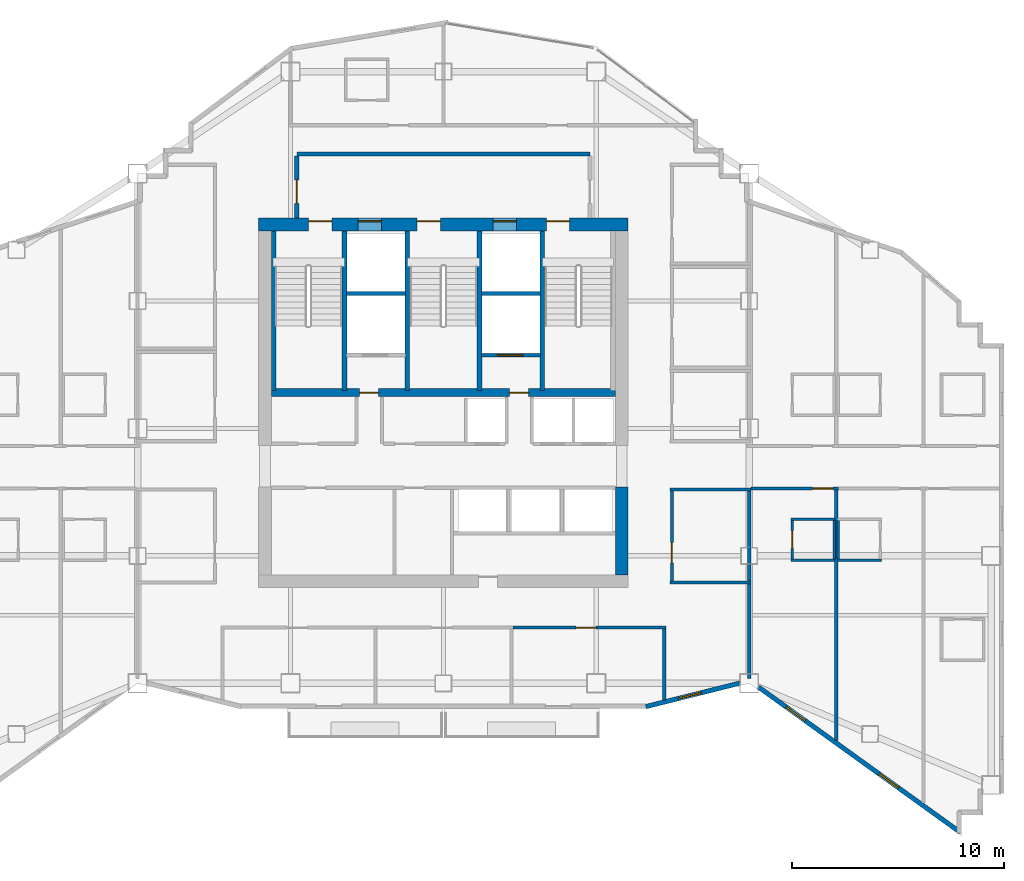
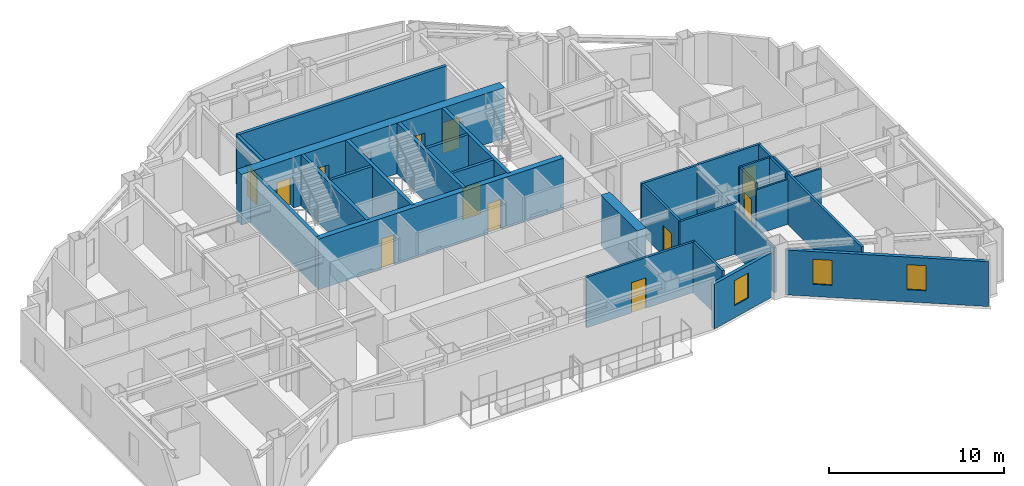
# One storey, part 7 of 11: 30 walls, 13 doors, 3 windows, 16 openings.
"""IFC4 building model written with IfcOpenShell, lengths in metres."""

from ifc_helpers import new_model, si_unit, direction, frame, frame_2d, origin, place, context, subcontext, project, spatial, rectangle, extrude, material, layer, layer_set, type_object, element, fill, save


model = new_model("IFC4")

# Units and contexts
model_context = context("Model", 3, precision=1e-05, world=origin(), true_north=direction((0.0, 1.0)))
body_context = subcontext(model_context, "Body", "Model", "MODEL_VIEW")
ifc_project = project(units=[si_unit("LENGTHUNIT", "METRE"), si_unit("AREAUNIT", "SQUARE_METRE"), si_unit("VOLUMEUNIT", "CUBIC_METRE"), si_unit("PLANEANGLEUNIT", "RADIAN"), si_unit("MASSUNIT", "GRAM", prefix="KILO")], contexts=[model_context])

# Site, building, storey
site_placement = place(None, origin())
site = spatial("IfcSite", under=ifc_project, at=site_placement, CompositionType="ELEMENT")
building_placement = place(site_placement, origin())
building = spatial("IfcBuilding", under=site, at=building_placement, Name="Haolan Belvedere Tower", CompositionType="ELEMENT")
storey_placement = place(building_placement, frame((0.0, 0.0, 226.800048828125)))
storey = spatial("IfcBuildingStorey", under=building, at=storey_placement, Name="L57", CompositionType="ELEMENT", Elevation=226.800048828125)

# Wall, openings, doors
ifc_material_1 = material(Name="Concrete C60/75", Category="concrete")
ifc_layer_1 = layer(ifc_material_1, 0.60009765625, Name="Concrete C60/75")
ifc_layer_set_1 = layer_set([ifc_layer_1], Name="Concrete C60/75")
wall_type_1 = type_object("IfcWallType", Name="WL-CORE-600", PredefinedType="SHEAR", material=ifc_layer_set_1)
wall_1_placement = place(storey_placement, frame((29.699951171875, 43.199951171875, 0.0), z_axis=(0.0, 0.0, 1.0), x_axis=(1.0, 0.0, 0.0)))
wall_1 = element("IfcWall", 1, at=wall_1_placement, inside=storey, type_object=wall_type_1, Name="L57 central core north shear wall", PredefinedType="SHEAR", context=body_context, shape_type="SweptSolid", body=[
    extrude(rectangle(XDim=17.400146484375, YDim=0.60009765625, at=frame_2d((8.7001953125, 0.0))), origin(), (0.0, 0.0, 1.0), 3.5400390625),
])
opening_1_placement = place(wall_1_placement, frame((2.35009765625, 0.0, 0.0)))
opening_1 = element("IfcOpeningElement", 2, at=opening_1_placement, cuts=wall_1, Name="Opening FD-03", PredefinedType="OPENING", context=body_context, shape_type="SweptSolid", body=[
    extrude(rectangle(XDim=1.10009765625, YDim=2.14990234375, at=frame_2d((0.550048828125, 1.074951171875))), frame((0.0, 0.31005859375, 0.0), z_axis=(0.0, -1.0, 0.0), x_axis=(1.0, 0.0, 0.0)), (0.0, 0.0, 1.0), 0.6201171875),
])
opening_2_placement = place(wall_1_placement, frame((7.4599609375, 0.0, 0.0)))
opening_2 = element("IfcOpeningElement", 3, at=opening_2_placement, cuts=wall_1, Name="Opening FD-03", PredefinedType="OPENING", context=body_context, shape_type="SweptSolid", body=[
    extrude(rectangle(XDim=1.10009765625, YDim=2.14990234375, at=frame_2d((0.550048828125, 1.074951171875))), frame((0.0, 0.31005859375, 0.0), z_axis=(0.0, -1.0, 0.0), x_axis=(1.0, 0.0, 0.0)), (0.0, 0.0, 1.0), 0.6201171875),
])
opening_3_placement = place(wall_1_placement, frame((13.550048828125, 0.0, 0.0)))
opening_3 = element("IfcOpeningElement", 4, at=opening_3_placement, cuts=wall_1, Name="Opening FD-03", PredefinedType="OPENING", context=body_context, shape_type="SweptSolid", body=[
    extrude(rectangle(XDim=1.10009765625, YDim=2.14990234375, at=frame_2d((0.550048828125, 1.074951171875))), frame((0.0, 0.31005859375, 0.0), z_axis=(0.0, -1.0, 0.0), x_axis=(1.0, 0.0, 0.0)), (0.0, 0.0, 1.0), 0.6201171875),
])
opening_4_placement = place(wall_1_placement, frame((4.679931640625, 0.0, 0.0)))
opening_4 = element("IfcOpeningElement", 5, at=opening_4_placement, cuts=wall_1, Name="Opening LD-01", PredefinedType="OPENING", context=body_context, shape_type="SweptSolid", body=[
    extrude(rectangle(XDim=1.10009765625, YDim=2.199951171875, at=frame_2d((0.550048828125, 1.10009765625))), frame((0.0, 0.31005859375, 0.0), z_axis=(0.0, -1.0, 0.0), x_axis=(1.0, 0.0, 0.0)), (0.0, 0.0, 1.0), 0.6201171875),
])
opening_5_placement = place(wall_1_placement, frame((11.0400390625, 0.0, 0.0)))
opening_5 = element("IfcOpeningElement", 6, at=opening_5_placement, cuts=wall_1, Name="Opening LD-01", PredefinedType="OPENING", context=body_context, shape_type="SweptSolid", body=[
    extrude(rectangle(XDim=1.10009765625, YDim=2.199951171875, at=frame_2d((0.550048828125, 1.10009765625))), frame((0.0, 0.31005859375, 0.0), z_axis=(0.0, -1.0, 0.0), x_axis=(1.0, 0.0, 0.0)), (0.0, 0.0, 1.0), 0.6201171875),
])
ifc_material_2 = material(Name="Galvanised fire-rated steel", Category="steel")
door_type_1 = type_object("IfcDoorType", Name="DR-FD90-1100", OperationType="NOTDEFINED", PredefinedType="DOOR", material=ifc_material_2)
door_1_placement = place(opening_1_placement, origin())
door_1 = element("IfcDoor", 7, at=door_1_placement, inside=storey, type_object=door_type_1, Name="L57 door CD-L57-ST1", OperationType="SINGLE_SWING_LEFT", OverallHeight=2.14990234375, OverallWidth=1.10009765625, PredefinedType="DOOR", context=body_context, shape_type="SweptSolid", body=[
    extrude(rectangle(XDim=1.10009765625, YDim=2.14990234375, at=frame_2d((0.550048828125, 1.074951171875))), frame((0.0, 0.18505859375, 0.0), z_axis=(0.0, -1.0, 0.0), x_axis=(1.0, 0.0, 0.0)), (0.0, 0.0, 1.0), 0.050048828125),
])
fill(opening_1, door_1)
door_2_placement = place(opening_2_placement, origin())
door_2 = element("IfcDoor", 8, at=door_2_placement, inside=storey, type_object=door_type_1, Name="L57 door CD-L57-ST3", OperationType="SINGLE_SWING_LEFT", OverallHeight=2.14990234375, OverallWidth=1.10009765625, PredefinedType="DOOR", context=body_context, shape_type="SweptSolid", body=[
    extrude(rectangle(XDim=1.10009765625, YDim=2.14990234375, at=frame_2d((0.550048828125, 1.074951171875))), frame((0.0, 0.18505859375, 0.0), z_axis=(0.0, -1.0, 0.0), x_axis=(1.0, 0.0, 0.0)), (0.0, 0.0, 1.0), 0.050048828125),
])
fill(opening_2, door_2)
door_3_placement = place(opening_3_placement, origin())
door_3 = element("IfcDoor", 9, at=door_3_placement, inside=storey, type_object=door_type_1, Name="L57 door CD-L57-ST2", OperationType="SINGLE_SWING_RIGHT", OverallHeight=2.14990234375, OverallWidth=1.10009765625, PredefinedType="DOOR", context=body_context, shape_type="SweptSolid", body=[
    extrude(rectangle(XDim=1.10009765625, YDim=2.14990234375, at=frame_2d((0.550048828125, 1.074951171875))), frame((0.0, 0.18505859375, 0.0), z_axis=(0.0, -1.0, 0.0), x_axis=(1.0, 0.0, 0.0)), (0.0, 0.0, 1.0), 0.050048828125),
])
fill(opening_3, door_3)
ifc_material_3 = material(Name="Brushed champagne stainless steel 316L", Category="steel")
door_type_2 = type_object("IfcDoorType", Name="DR-LIFT-1100", OperationType="SLIDING_TO_LEFT", PredefinedType="DOOR", material=ifc_material_3)
door_4_placement = place(opening_4_placement, origin())
door_4 = element("IfcDoor", 10, at=door_4_placement, inside=storey, type_object=door_type_2, Name="L57 door LD-L57-FF1", OperationType="SLIDING_TO_LEFT", OverallHeight=2.199951171875, OverallWidth=1.10009765625, PredefinedType="DOOR", context=body_context, shape_type="SweptSolid", body=[
    extrude(rectangle(XDim=1.10009765625, YDim=2.199951171875, at=frame_2d((0.550048828125, 1.10009765625))), frame((0.0, 0.18505859375, 0.0), z_axis=(0.0, -1.0, 0.0), x_axis=(1.0, 0.0, 0.0)), (0.0, 0.0, 1.0), 0.050048828125),
])
fill(opening_4, door_4)
door_5_placement = place(opening_5_placement, origin())
door_5 = element("IfcDoor", 11, at=door_5_placement, inside=storey, type_object=door_type_2, Name="L57 door LD-L57-FF2", OperationType="SLIDING_TO_LEFT", OverallHeight=2.199951171875, OverallWidth=1.10009765625, PredefinedType="DOOR", context=body_context, shape_type="SweptSolid", body=[
    extrude(rectangle(XDim=1.10009765625, YDim=2.199951171875, at=frame_2d((0.550048828125, 1.10009765625))), frame((0.0, 0.18505859375, 0.0), z_axis=(0.0, -1.0, 0.0), x_axis=(1.0, 0.0, 0.0)), (0.0, 0.0, 1.0), 0.050048828125),
])
fill(opening_5, door_5)

# Wall
wall_2_placement = place(storey_placement, frame((46.800048828125, 26.699951171875, 0.0), z_axis=(0.0, 0.0, 1.0), x_axis=(0.0, 1.0, 0.0)))
element("IfcWall", 12, at=wall_2_placement, inside=storey, type_object=wall_type_1, Name="L57 central core shear wall ES", PredefinedType="SHEAR", context=body_context, shape_type="SweptSolid", body=[
    extrude(rectangle(XDim=4.150146484375, YDim=0.60009765625, at=frame_2d((2.0751953125, 0.0))), origin(), (0.0, 0.0, 1.0), 3.5400390625),
])

# Wall, opening, window
ifc_material_4 = material(Name="Precast concrete C40/50", Category="concrete")
ifc_layer_2 = layer(ifc_material_4, 0.219970703125, Name="Precast concrete C40/50")
ifc_layer_set_2 = layer_set([ifc_layer_2], Name="Precast concrete C40/50")
wall_type_2 = type_object("IfcWallType", Name="WL-EXT-220", PredefinedType="SOLIDWALL", material=ifc_layer_set_2)
wall_3_placement = place(storey_placement, frame((47.93310546875, 20.49658203125, 0.0), z_axis=(0.0, 0.0, 1.0), x_axis=(0.970142500145, 0.242535625036, 0.0)))
wall_3 = element("IfcWall", 13, at=wall_3_placement, inside=storey, type_object=wall_type_2, Name="L57 pale-metal exterior spandrel wall 2.1", PredefinedType="SOLIDWALL", context=body_context, shape_type="SweptSolid", body=[
    extrude(rectangle(XDim=4.56103515625, YDim=0.219970703125, at=frame_2d((2.280517578125, 0.0))), origin(), (0.0, 0.0, 1.0), 3.135009765625),
])
opening_6_placement = place(wall_3_placement, frame((1.60009765625, 0.0, 0.85009765625)))
opening_6 = element("IfcOpeningElement", 14, at=opening_6_placement, cuts=wall_3, Name="Opening W-03", PredefinedType="OPENING", context=body_context, shape_type="SweptSolid", body=[
    extrude(rectangle(XDim=1.10009765625, YDim=1.75, at=frame_2d((0.550048828125, 0.875))), frame((0.0, 0.119873046875, 0.0), z_axis=(0.0, -1.0, 0.0), x_axis=(1.0, 0.0, 0.0)), (0.0, 0.0, 1.0), 0.239990234375),
])
ifc_material_5 = material(Name="Anodised aluminium 6063-T6 and Low-E glass", Category="aluminium")
window_type = type_object("IfcWindowType", Name="WN-DECO-Z3", PartitioningType="SINGLE_PANEL", PredefinedType="WINDOW", material=ifc_material_5)
window_1_placement = place(opening_6_placement, origin())
window_1 = element("IfcWindow", 15, at=window_1_placement, inside=storey, type_object=window_type, Name="L57 Art Deco chevron window 1", OverallHeight=1.75, OverallWidth=1.10009765625, PartitioningType="SINGLE_PANEL", PredefinedType="WINDOW", context=body_context, shape_type="SweptSolid", body=[
    extrude(rectangle(XDim=1.10009765625, YDim=1.75, at=frame_2d((0.550048828125, 0.875))), frame((0.0, 0.030029296875, 0.0), z_axis=(0.0, -1.0, 0.0), x_axis=(1.0, 0.0, 0.0)), (0.0, 0.0, 1.0), 0.06005859375),
])
fill(opening_6, window_1)

# Wall, openings, windows
wall_4_placement = place(storey_placement, frame((53.241943359375, 21.417236328125, 0.0), z_axis=(0.0, 0.0, 1.0), x_axis=(0.811534737332, -0.58430417601, 0.0)))
wall_4 = element("IfcWall", 16, at=wall_4_placement, inside=storey, type_object=wall_type_2, Name="L57 pale-metal exterior spandrel wall 3.1", PredefinedType="SOLIDWALL", context=body_context, shape_type="SweptSolid", body=[
    extrude(rectangle(XDim=11.697265625, YDim=0.219970703125, at=frame_2d((5.8486328125, 0.0))), origin(), (0.0, 0.0, 1.0), 3.135009765625),
])
opening_7_placement = place(wall_4_placement, frame((1.60009765625, 0.0, 0.85009765625)))
opening_7 = element("IfcOpeningElement", 17, at=opening_7_placement, cuts=wall_4, Name="Opening W-03", PredefinedType="OPENING", context=body_context, shape_type="SweptSolid", body=[
    extrude(rectangle(XDim=1.10009765625, YDim=1.75, at=frame_2d((0.550048828125, 0.875))), frame((0.0, 0.119873046875, 0.0), z_axis=(0.0, -1.0, 0.0), x_axis=(1.0, 0.0, 0.0)), (0.0, 0.0, 1.0), 0.239990234375),
])
opening_8_placement = place(wall_4_placement, frame((7.0, 0.0, 0.85009765625)))
opening_8 = element("IfcOpeningElement", 18, at=opening_8_placement, cuts=wall_4, Name="Opening W-03", PredefinedType="OPENING", context=body_context, shape_type="SweptSolid", body=[
    extrude(rectangle(XDim=1.10009765625, YDim=1.75, at=frame_2d((0.550048828125, 0.875))), frame((0.0, 0.119873046875, 0.0), z_axis=(0.0, -1.0, 0.0), x_axis=(1.0, 0.0, 0.0)), (0.0, 0.0, 1.0), 0.239990234375),
])
window_2_placement = place(opening_7_placement, origin())
window_2 = element("IfcWindow", 19, at=window_2_placement, inside=storey, type_object=window_type, Name="L57 Art Deco chevron window 1", OverallHeight=1.75, OverallWidth=1.10009765625, PartitioningType="SINGLE_PANEL", PredefinedType="WINDOW", context=body_context, shape_type="SweptSolid", body=[
    extrude(rectangle(XDim=1.10009765625, YDim=1.75, at=frame_2d((0.550048828125, 0.875))), frame((0.0, 0.030029296875, 0.0), z_axis=(0.0, -1.0, 0.0), x_axis=(1.0, 0.0, 0.0)), (0.0, 0.0, 1.0), 0.06005859375),
])
fill(opening_7, window_2)
window_3_placement = place(opening_8_placement, origin())
window_3 = element("IfcWindow", 20, at=window_3_placement, inside=storey, type_object=window_type, Name="L57 Art Deco chevron window 2", OverallHeight=1.75, OverallWidth=1.10009765625, PartitioningType="SINGLE_PANEL", PredefinedType="WINDOW", context=body_context, shape_type="SweptSolid", body=[
    extrude(rectangle(XDim=1.10009765625, YDim=1.75, at=frame_2d((0.550048828125, 0.875))), frame((0.0, 0.030029296875, 0.0), z_axis=(0.0, -1.0, 0.0), x_axis=(1.0, 0.0, 0.0)), (0.0, 0.0, 1.0), 0.06005859375),
])
fill(opening_8, window_3)

# Wall
ifc_material_6 = material(Name="Concrete C40/50", Category="concrete")
ifc_layer_3 = layer(ifc_material_6, 0.199951171875, Name="Concrete C40/50")
ifc_layer_set_3 = layer_set([ifc_layer_3], Name="Concrete C40/50")
wall_type_3 = type_object("IfcWallType", Name="WL-FIRE-200", PredefinedType="SOLIDWALL", material=ifc_layer_set_3)
wall_5_placement = place(storey_placement, frame((31.5, 46.52001953125, 0.0), z_axis=(0.0, 0.0, 1.0), x_axis=(1.0, 0.0, 0.0)))
element("IfcWall", 21, at=wall_5_placement, inside=storey, type_object=wall_type_3, Name="L57 interior partition IW-L57-FFL-N", PredefinedType="SOLIDWALL", context=body_context, shape_type="SweptSolid", body=[
    extrude(rectangle(XDim=13.800048828125, YDim=0.199951171875, at=frame_2d((6.89990234375, 0.0))), origin(), (0.0, 0.0, 1.0), 3.5400390625),
])

# Wall, opening, door
wall_6_placement = place(storey_placement, frame((31.5, 43.5, 0.0), z_axis=(0.0, 0.0, 1.0), x_axis=(0.0, 1.0, 0.0)))
wall_6 = element("IfcWall", 22, at=wall_6_placement, inside=storey, type_object=wall_type_3, Name="L57 interior partition IW-L57-FFL-W", PredefinedType="SOLIDWALL", context=body_context, shape_type="SweptSolid", body=[
    extrude(rectangle(XDim=2.93505859375, YDim=0.199951171875, at=frame_2d((1.467529296875, 0.0))), origin(), (0.0, 0.0, 1.0), 3.5400390625),
])
opening_9_placement = place(wall_6_placement, frame((1.800048828125, 0.0, 0.0), z_axis=(0.0, 0.0, 1.0), x_axis=(-1.0, 0.0, 0.0)))
opening_9 = element("IfcOpeningElement", 23, at=opening_9_placement, cuts=wall_6, Name="Opening FD-03", PredefinedType="OPENING", context=body_context, shape_type="SweptSolid", body=[
    extrude(rectangle(XDim=1.10009765625, YDim=2.14990234375, at=frame_2d((0.550048828125, 1.074951171875))), frame((0.0, 0.10986328125, 0.0), z_axis=(0.0, -1.0, 0.0), x_axis=(1.0, 0.0, 0.0)), (0.0, 0.0, 1.0), 0.219970703125),
])
door_6_placement = place(opening_9_placement, origin())
door_6 = element("IfcDoor", 24, at=door_6_placement, inside=storey, type_object=door_type_1, Name="L57 door ID-L57-FFL-DW", OperationType="SINGLE_SWING_LEFT", OverallHeight=2.14990234375, OverallWidth=1.10009765625, PredefinedType="DOOR", context=body_context, shape_type="SweptSolid", body=[
    extrude(rectangle(XDim=1.10009765625, YDim=2.14990234375, at=frame_2d((0.550048828125, 1.074951171875))), frame((0.0, 0.02490234375, 0.0), z_axis=(0.0, -1.0, 0.0), x_axis=(1.0, 0.0, 0.0)), (0.0, 0.0, 1.0), 0.050048828125),
])
fill(opening_9, door_6)

# Walls
ifc_material_7 = material(Name="Double gypsum acoustic stud partition", Category="masonry")
ifc_layer_4 = layer(ifc_material_7, 0.14990234375, Name="Double gypsum acoustic stud partition")
ifc_layer_set_4 = layer_set([ifc_layer_4], Name="Double gypsum acoustic stud partition")
wall_type_4 = type_object("IfcWallType", Name="WL-PART-150", PredefinedType="PARTITIONING", material=ifc_layer_set_4)
for number, where, z_axis, x_axis, name in (
    (25, (49.080078125, 30.72998046875, 0.0), (0.0, 0.0, 1.0), (1.0, 0.0, 0.0), "L57 interior partition IW-L57-PKTE-N"),
    (26, (49.080078125, 26.35009765625, 0.0), (0.0, 0.0, 1.0), (1.0, 0.0, 0.0), "L57 interior partition IW-L57-PKTE-S"),
):
    element("IfcWall", number, at=place(storey_placement, frame(where, z_axis=z_axis, x_axis=x_axis)), inside=storey, type_object=wall_type_4, Name=name, PredefinedType="PARTITIONING", context=body_context, shape_type="SweptSolid", body=[
        extrude(rectangle(XDim=3.7998046875, YDim=0.14990234375, at=frame_2d((1.89990234375, 0.0))), origin(), (0.0, 0.0, 1.0), 3.5400390625),
    ])

# Wall, opening, door
wall_7_placement = place(storey_placement, frame((49.159912109375, 26.409912109375, 0.0), z_axis=(0.0, 0.0, 1.0), x_axis=(0.0, 1.0, 0.0)))
wall_7 = element("IfcWall", 27, at=wall_7_placement, inside=storey, type_object=wall_type_4, Name="L57 interior partition IW-L57-PKTE-W", PredefinedType="PARTITIONING", context=body_context, shape_type="SweptSolid", body=[
    extrude(rectangle(XDim=4.260009765625, YDim=0.14990234375, at=frame_2d((2.1298828125, 0.0))), origin(), (0.0, 0.0, 1.0), 3.5400390625),
])
opening_10_placement = place(wall_7_placement, frame((0.860107421875, 0.0, 0.0)))
opening_10 = element("IfcOpeningElement", 28, at=opening_10_placement, cuts=wall_7, Name="Opening ID-03", PredefinedType="OPENING", context=body_context, shape_type="SweptSolid", body=[
    extrude(rectangle(XDim=0.949951171875, YDim=2.1201171875, at=frame_2d((0.47509765625, 1.06005859375))), frame((0.0, 0.0849609375, 0.0), z_axis=(0.0, -1.0, 0.0), x_axis=(1.0, 0.0, 0.0)), (0.0, 0.0, 1.0), 0.169921875),
])
ifc_material_8 = material(Name="Painted solid-core timber", Category="wood")
door_type_3 = type_object("IfcDoorType", Name="DR-INT-950", OperationType="NOTDEFINED", PredefinedType="DOOR", material=ifc_material_8)
door_7_placement = place(opening_10_placement, origin())
door_7 = element("IfcDoor", 29, at=door_7_placement, inside=storey, type_object=door_type_3, Name="L57 door ID-L57-PKTE", OperationType="SINGLE_SWING_RIGHT", OverallHeight=2.1201171875, OverallWidth=0.949951171875, PredefinedType="DOOR", context=body_context, shape_type="SweptSolid", body=[
    extrude(rectangle(XDim=0.949951171875, YDim=2.1201171875, at=frame_2d((0.47509765625, 1.06005859375))), frame((0.0, 0.02490234375, 0.0), z_axis=(0.0, -1.0, 0.0), x_axis=(1.0, 0.0, 0.0)), (0.0, 0.0, 1.0), 0.050048828125),
])
fill(opening_10, door_7)

# Wall
wall_8_placement = place(storey_placement, frame((52.800048828125, 26.409912109375, 0.0), z_axis=(0.0, 0.0, 1.0), x_axis=(0.0, 1.0, 0.0)))
element("IfcWall", 30, at=wall_8_placement, inside=storey, type_object=wall_type_4, Name="L57 interior partition IW-L57-PKTE-E", PredefinedType="PARTITIONING", context=body_context, shape_type="SweptSolid", body=[
    extrude(rectangle(XDim=4.260009765625, YDim=0.14990234375, at=frame_2d((2.1298828125, 0.0))), origin(), (0.0, 0.0, 1.0), 3.135009765625),
])

# Wall, opening, door
wall_9_placement = place(storey_placement, frame((41.681884765625, 24.219970703125, 0.0), z_axis=(0.0, 0.0, 1.0), x_axis=(1.0, 0.0, 0.0)))
wall_9 = element("IfcWall", 31, at=wall_9_placement, inside=storey, type_object=wall_type_4, Name="L57 interior partition IW-L57-KS4-N", PredefinedType="PARTITIONING", context=body_context, shape_type="SweptSolid", body=[
    extrude(rectangle(XDim=7.197998046875, YDim=0.14990234375, at=frame_2d((3.59912109375, 0.0))), origin(), (0.0, 0.0, 1.0), 3.5400390625),
])
opening_11_placement = place(wall_9_placement, frame((3.912841796875, 0.0, 0.0), z_axis=(0.0, 0.0, 1.0), x_axis=(-1.0, 0.0, 0.0)))
opening_11 = element("IfcOpeningElement", 32, at=opening_11_placement, cuts=wall_9, Name="Opening ID-03", PredefinedType="OPENING", context=body_context, shape_type="SweptSolid", body=[
    extrude(rectangle(XDim=0.949951171875, YDim=2.1201171875, at=frame_2d((0.47509765625, 1.06005859375))), frame((0.0, 0.0849609375, 0.0), z_axis=(0.0, -1.0, 0.0), x_axis=(1.0, 0.0, 0.0)), (0.0, 0.0, 1.0), 0.169921875),
])
door_8_placement = place(opening_11_placement, origin())
door_8 = element("IfcDoor", 33, at=door_8_placement, inside=storey, type_object=door_type_3, Name="L57 door ID-L57-KS4", OperationType="SINGLE_SWING_RIGHT", OverallHeight=2.1201171875, OverallWidth=0.949951171875, PredefinedType="DOOR", context=body_context, shape_type="SweptSolid", body=[
    extrude(rectangle(XDim=0.949951171875, YDim=2.1201171875, at=frame_2d((0.47509765625, 1.06005859375))), frame((0.0, 0.02490234375, 0.0), z_axis=(0.0, -1.0, 0.0), x_axis=(1.0, 0.0, 0.0)), (0.0, 0.0, 1.0), 0.050048828125),
])
fill(opening_11, door_8)

# Wall
wall_10_placement = place(storey_placement, frame((48.800048828125, 20.818603515625, 0.0), z_axis=(0.0, 0.0, 1.0), x_axis=(0.0, 1.0, 0.0)))
element("IfcWall", 34, at=wall_10_placement, inside=storey, type_object=wall_type_4, Name="L57 interior partition IW-L57-KS4-E", PredefinedType="PARTITIONING", context=body_context, shape_type="SweptSolid", body=[
    extrude(rectangle(XDim=3.34130859375, YDim=0.14990234375, at=frame_2d((1.670654296875, 0.0))), origin(), (0.0, 0.0, 1.0), 3.5400390625),
])

# Wall, opening, door
wall_11_placement = place(storey_placement, frame((52.882080078125, 30.77001953125, 0.0), z_axis=(0.0, 0.0, 1.0), x_axis=(1.0, 0.0, 0.0)))
wall_11 = element("IfcWall", 35, at=wall_11_placement, inside=storey, type_object=wall_type_4, Name="L57 interior partition IW-L57-T4S1-N", PredefinedType="PARTITIONING", context=body_context, shape_type="SweptSolid", body=[
    extrude(rectangle(XDim=4.117919921875, YDim=0.14990234375, at=frame_2d((2.05908203125, 0.0))), origin(), (0.0, 0.0, 1.0), 3.5400390625),
])
opening_12_placement = place(wall_11_placement, frame((3.856201171875, 0.0, 0.0), z_axis=(0.0, 0.0, 1.0), x_axis=(-1.0, 0.0, 0.0)))
opening_12 = element("IfcOpeningElement", 36, at=opening_12_placement, cuts=wall_11, Name="Opening ID-02", PredefinedType="OPENING", context=body_context, shape_type="SweptSolid", body=[
    extrude(rectangle(XDim=0.949951171875, YDim=2.14990234375, at=frame_2d((0.47509765625, 1.074951171875))), frame((0.0, 0.0849609375, 0.0), z_axis=(0.0, -1.0, 0.0), x_axis=(1.0, 0.0, 0.0)), (0.0, 0.0, 1.0), 0.169921875),
])
ifc_material_9 = material(Name="Acoustic oak veneer fire-rated timber", Category="wood")
door_type_4 = type_object("IfcDoorType", Name="DR-GUEST-950", OperationType="NOTDEFINED", PredefinedType="DOOR", material=ifc_material_9)
door_9_placement = place(opening_12_placement, origin())
door_9 = element("IfcDoor", 37, at=door_9_placement, inside=storey, type_object=door_type_4, Name="L57 door ID-L57-T4S1-ENT", OperationType="SINGLE_SWING_RIGHT", OverallHeight=2.14990234375, OverallWidth=0.949951171875, PredefinedType="DOOR", context=body_context, shape_type="SweptSolid", body=[
    extrude(rectangle(XDim=0.949951171875, YDim=2.14990234375, at=frame_2d((0.47509765625, 1.074951171875))), frame((0.0, 0.02490234375, 0.0), z_axis=(0.0, -1.0, 0.0), x_axis=(1.0, 0.0, 0.0)), (0.0, 0.0, 1.0), 0.050048828125),
])
fill(opening_12, door_9)

# Walls
wall_12_placement = place(storey_placement, frame((52.800048828125, 21.818603515625, 0.0), z_axis=(0.0, 0.0, 1.0), x_axis=(0.0, 1.0, 0.0)))
element("IfcWall", 38, at=wall_12_placement, inside=storey, type_object=wall_type_4, Name="L57 interior partition IW-L57-T4S1-W", PredefinedType="PARTITIONING", context=body_context, shape_type="SweptSolid", body=[
    extrude(rectangle(XDim=4.471435546875, YDim=0.14990234375, at=frame_2d((2.23583984375, 0.0))), origin(), (0.0, 0.0, 1.0), 3.135009765625),
])
wall_13_placement = place(storey_placement, frame((56.89990234375, 18.9091796875, 0.0), z_axis=(0.0, 0.0, 1.0), x_axis=(0.0, 1.0, 0.0)))
element("IfcWall", 39, at=wall_13_placement, inside=storey, type_object=wall_type_4, Name="L57 interior partition IW-L57-T4S1-E", PredefinedType="PARTITIONING", context=body_context, shape_type="SweptSolid", body=[
    extrude(rectangle(XDim=11.80078125, YDim=0.14990234375, at=frame_2d((5.900390625, 0.0))), origin(), (0.0, 0.0, 1.0), 3.5400390625),
])
ifc_layer_5 = layer(ifc_material_4, 0.179931640625, Name="Precast concrete C40/50")
ifc_layer_set_5 = layer_set([ifc_layer_5], Name="Precast concrete C40/50")
wall_type_5 = type_object("IfcWallType", Name="WL-SHAFT-180", PredefinedType="SOLIDWALL", material=ifc_layer_set_5)
for number, where, z_axis, x_axis, name in (
    (40, (33.8349609375, 39.949951171875, 0.0), (0.0, 0.0, 1.0), (1.0, 0.0, 0.0), "L57 interior partition IW-L57-FF1-S"),
    (41, (40.195068359375, 39.949951171875, 0.0), (0.0, 0.0, 1.0), (1.0, 0.0, 0.0), "L57 interior partition IW-L57-FF2-S"),
):
    element("IfcWall", number, at=place(storey_placement, frame(where, z_axis=z_axis, x_axis=x_axis)), inside=storey, type_object=wall_type_5, Name=name, PredefinedType="SOLIDWALL", context=body_context, shape_type="SweptSolid", body=[
        extrude(rectangle(XDim=2.77001953125, YDim=0.179931640625, at=frame_2d((1.385009765625, 0.0))), origin(), (0.0, 0.0, 1.0), 3.5400390625),
    ])

# Wall, opening, door
wall_14_placement = place(storey_placement, frame((40.195068359375, 37.050048828125, 0.0), z_axis=(0.0, 0.0, 1.0), x_axis=(1.0, 0.0, 0.0)))
wall_14 = element("IfcWall", 42, at=wall_14_placement, inside=storey, type_object=wall_type_5, Name="L57 interior partition IW-L57-SV2-S", PredefinedType="SOLIDWALL", context=body_context, shape_type="SweptSolid", body=[
    extrude(rectangle(XDim=2.77001953125, YDim=0.179931640625, at=frame_2d((1.385009765625, 0.0))), origin(), (0.0, 0.0, 1.0), 3.5400390625),
])
opening_13_placement = place(wall_14_placement, frame((1.945068359375, 0.0, 0.0), z_axis=(0.0, 0.0, 1.0), x_axis=(-1.0, 0.0, 0.0)))
opening_13 = element("IfcOpeningElement", 43, at=opening_13_placement, cuts=wall_14, Name="Opening LD-02", PredefinedType="OPENING", context=body_context, shape_type="SweptSolid", body=[
    extrude(rectangle(XDim=1.199951171875, YDim=2.199951171875, at=frame_2d((0.60009765625, 1.10009765625))), frame((0.0, 0.099853515625, 0.0), z_axis=(0.0, -1.0, 0.0), x_axis=(1.0, 0.0, 0.0)), (0.0, 0.0, 1.0), 0.199951171875),
])
door_type_5 = type_object("IfcDoorType", Name="DR-LIFT-1200", OperationType="SLIDING_TO_RIGHT", PredefinedType="DOOR", material=ifc_material_3)
door_10_placement = place(opening_13_placement, origin())
door_10 = element("IfcDoor", 44, at=door_10_placement, inside=storey, type_object=door_type_5, Name="L57 door ID-L57-LD-SV2", OperationType="SLIDING_TO_RIGHT", OverallHeight=2.199951171875, OverallWidth=1.199951171875, PredefinedType="DOOR", context=body_context, shape_type="SweptSolid", body=[
    extrude(rectangle(XDim=1.199951171875, YDim=2.199951171875, at=frame_2d((0.60009765625, 1.10009765625))), frame((0.0, 0.02490234375, 0.0), z_axis=(0.0, -1.0, 0.0), x_axis=(1.0, 0.0, 0.0)), (0.0, 0.0, 1.0), 0.050048828125),
])
fill(opening_13, door_10)

# Walls
ifc_material_10 = material(Name="Concrete C50/60", Category="concrete")
ifc_layer_6 = layer(ifc_material_10, 0.219970703125, Name="Concrete C50/60")
ifc_layer_set_6 = layer_set([ifc_layer_6], Name="Concrete C50/60")
wall_type_6 = type_object("IfcWallType", Name="WL-STAIR-220", PredefinedType="SHEAR", material=ifc_layer_set_6)
for number, where, z_axis, x_axis, name in (
    (45, (30.412109375, 35.389892578125, 0.0), (0.0, 0.0, 1.0), (0.0, 1.0, 0.0), "L57 structural stair core wall ST1W"),
    (46, (33.739990234375, 35.389892578125, 0.0), (0.0, 0.0, 1.0), (0.0, 1.0, 0.0), "L57 structural stair core wall ST1E"),
    (47, (36.699951171875, 35.389892578125, 0.0), (0.0, 0.0, 1.0), (0.0, 1.0, 0.0), "L57 structural stair core wall ST3W"),
    (48, (40.10009765625, 35.389892578125, 0.0), (0.0, 0.0, 1.0), (0.0, 1.0, 0.0), "L57 structural stair core wall ST3E"),
    (49, (43.06005859375, 35.389892578125, 0.0), (0.0, 0.0, 1.0), (0.0, 1.0, 0.0), "L57 structural stair core wall ST2W"),
):
    element("IfcWall", number, at=place(storey_placement, frame(where, z_axis=z_axis, x_axis=x_axis)), inside=storey, type_object=wall_type_6, Name=name, PredefinedType="SHEAR", context=body_context, shape_type="SweptSolid", body=[
        extrude(rectangle(XDim=7.510009765625, YDim=0.219970703125, at=frame_2d((3.7548828125, 0.0))), origin(), (0.0, 0.0, 1.0), 3.5400390625),
    ])

# Wall, openings, doors
ifc_layer_7 = layer(ifc_material_1, 0.360107421875, Name="Concrete C60/75")
ifc_layer_set_7 = layer_set([ifc_layer_7], Name="Concrete C60/75")
wall_type_7 = type_object("IfcWallType", Name="WL-WEB-350", PredefinedType="SHEAR", material=ifc_layer_set_7)
wall_15_placement = place(storey_placement, frame((30.300048828125, 35.2900390625, 0.0), z_axis=(0.0, 0.0, 1.0), x_axis=(1.0, 0.0, 0.0)))
wall_15 = element("IfcWall", 50, at=wall_15_placement, inside=storey, type_object=wall_type_7, Name="L57 central core internal shear web", PredefinedType="SHEAR", context=body_context, shape_type="SweptSolid", body=[
    extrude(rectangle(XDim=16.199951171875, YDim=0.360107421875, at=frame_2d((8.10009765625, 0.0))), origin(), (0.0, 0.0, 1.0), 3.5400390625),
])
opening_14_placement = place(wall_15_placement, frame((5.0498046875, 0.0, 0.0), z_axis=(0.0, 0.0, 1.0), x_axis=(-1.0, 0.0, 0.0)))
opening_14 = element("IfcOpeningElement", 51, at=opening_14_placement, cuts=wall_15, Name="Opening FD-05", PredefinedType="OPENING", context=body_context, shape_type="SweptSolid", body=[
    extrude(rectangle(XDim=0.89990234375, YDim=2.10009765625, at=frame_2d((0.449951171875, 1.050048828125))), frame((0.0, 0.18994140625, 0.0), z_axis=(0.0, -1.0, 0.0), x_axis=(1.0, 0.0, 0.0)), (0.0, 0.0, 1.0), 0.380126953125),
])
opening_15_placement = place(wall_15_placement, frame((12.10986328125, 0.0, 0.0), z_axis=(0.0, 0.0, 1.0), x_axis=(-1.0, 0.0, 0.0)))
opening_15 = element("IfcOpeningElement", 52, at=opening_15_placement, cuts=wall_15, Name="Opening FD-05", PredefinedType="OPENING", context=body_context, shape_type="SweptSolid", body=[
    extrude(rectangle(XDim=0.89990234375, YDim=2.10009765625, at=frame_2d((0.449951171875, 1.050048828125))), frame((0.0, 0.18994140625, 0.0), z_axis=(0.0, -1.0, 0.0), x_axis=(1.0, 0.0, 0.0)), (0.0, 0.0, 1.0), 0.380126953125),
])
door_type_6 = type_object("IfcDoorType", Name="DR-FD60-900", OperationType="NOTDEFINED", PredefinedType="DOOR", material=ifc_material_2)
door_11_placement = place(opening_14_placement, origin())
door_11 = element("IfcDoor", 53, at=door_11_placement, inside=storey, type_object=door_type_6, Name="L57 door CD-L57-SVL-SV1", OperationType="SINGLE_SWING_RIGHT", OverallHeight=2.10009765625, OverallWidth=0.89990234375, PredefinedType="DOOR", context=body_context, shape_type="SweptSolid", body=[
    extrude(rectangle(XDim=0.89990234375, YDim=2.10009765625, at=frame_2d((0.449951171875, 1.050048828125))), frame((0.0, 0.02490234375, 0.0), z_axis=(0.0, -1.0, 0.0), x_axis=(1.0, 0.0, 0.0)), (0.0, 0.0, 1.0), 0.050048828125),
])
fill(opening_14, door_11)
door_12_placement = place(opening_15_placement, origin())
door_12 = element("IfcDoor", 54, at=door_12_placement, inside=storey, type_object=door_type_6, Name="L57 door CD-L57-SVL-SV2", OperationType="SINGLE_SWING_RIGHT", OverallHeight=2.10009765625, OverallWidth=0.89990234375, PredefinedType="DOOR", context=body_context, shape_type="SweptSolid", body=[
    extrude(rectangle(XDim=0.89990234375, YDim=2.10009765625, at=frame_2d((0.449951171875, 1.050048828125))), frame((0.0, 0.02490234375, 0.0), z_axis=(0.0, -1.0, 0.0), x_axis=(1.0, 0.0, 0.0)), (0.0, 0.0, 1.0), 0.050048828125),
])
fill(opening_15, door_12)

# Walls
ifc_material_11 = material(Name="Moisture-resistant gypsum tile partition", Category="masonry")
ifc_layer_8 = layer(ifc_material_11, 0.1201171875, Name="Moisture-resistant gypsum tile partition")
ifc_layer_set_8 = layer_set([ifc_layer_8], Name="Moisture-resistant gypsum tile partition")
wall_type_8 = type_object("IfcWallType", Name="WL-WET-120", PredefinedType="PARTITIONING", material=ifc_layer_set_8)
wall_16_placement = place(storey_placement, frame((54.760009765625, 29.320068359375, 0.0), z_axis=(0.0, 0.0, 1.0), x_axis=(1.0, 0.0, 0.0)))
element("IfcWall", 55, at=wall_16_placement, inside=storey, type_object=wall_type_8, Name="L57 interior partition IW-L57-T4S1-BN", PredefinedType="PARTITIONING", context=body_context, shape_type="SweptSolid", body=[
    extrude(rectangle(XDim=2.080078125, YDim=0.1201171875, at=frame_2d((1.0400390625, 0.0))), origin(), (0.0, 0.0, 1.0), 3.5400390625),
])
wall_17_placement = place(storey_placement, frame((54.760009765625, 27.39990234375, 0.0), z_axis=(0.0, 0.0, 1.0), x_axis=(1.0, 0.0, 0.0)))
element("IfcWall", 56, at=wall_17_placement, inside=storey, type_object=wall_type_8, Name="L57 interior partition IW-L57-T4S1-BS", PredefinedType="PARTITIONING", context=body_context, shape_type="SweptSolid", body=[
    extrude(rectangle(XDim=2.080078125, YDim=0.1201171875, at=frame_2d((1.0400390625, 0.0))), origin(), (0.0, 0.0, 1.0), 3.135009765625),
])

# Wall, opening, door
wall_18_placement = place(storey_placement, frame((54.820068359375, 27.445068359375, 0.0), z_axis=(0.0, 0.0, 1.0), x_axis=(0.0, 1.0, 0.0)))
wall_18 = element("IfcWall", 57, at=wall_18_placement, inside=storey, type_object=wall_type_8, Name="L57 interior partition IW-L57-T4S1-BW", PredefinedType="PARTITIONING", context=body_context, shape_type="SweptSolid", body=[
    extrude(rectangle(XDim=1.829833984375, YDim=0.1201171875, at=frame_2d((0.9150390625, 0.0))), origin(), (0.0, 0.0, 1.0), 3.5400390625),
])
opening_16_placement = place(wall_18_placement, frame((1.340087890625, 0.0, 0.0), z_axis=(0.0, 0.0, 1.0), x_axis=(-1.0, 0.0, 0.0)))
opening_16 = element("IfcOpeningElement", 58, at=opening_16_placement, cuts=wall_18, Name="Opening ID-05", PredefinedType="OPENING", context=body_context, shape_type="SweptSolid", body=[
    extrude(rectangle(XDim=0.85009765625, YDim=2.10009765625, at=frame_2d((0.425048828125, 1.050048828125))), frame((0.0, 0.070068359375, 0.0), z_axis=(0.0, -1.0, 0.0), x_axis=(1.0, 0.0, 0.0)), (0.0, 0.0, 1.0), 0.14013671875),
])
ifc_material_12 = material(Name="Moisture-resistant lacquered timber", Category="wood")
door_type_7 = type_object("IfcDoorType", Name="DR-BATH-850", OperationType="NOTDEFINED", PredefinedType="DOOR", material=ifc_material_12)
door_13_placement = place(opening_16_placement, origin())
door_13 = element("IfcDoor", 59, at=door_13_placement, inside=storey, type_object=door_type_7, Name="L57 door ID-L57-T4S1-BATH", OperationType="SINGLE_SWING_LEFT", OverallHeight=2.10009765625, OverallWidth=0.85009765625, PredefinedType="DOOR", context=body_context, shape_type="SweptSolid", body=[
    extrude(rectangle(XDim=0.85009765625, YDim=2.10009765625, at=frame_2d((0.425048828125, 1.050048828125))), frame((0.0, 0.02490234375, 0.0), z_axis=(0.0, -1.0, 0.0), x_axis=(1.0, 0.0, 0.0)), (0.0, 0.0, 1.0), 0.050048828125),
])
fill(opening_16, door_13)

# Walls
wall_19_placement = place(storey_placement, frame((56.800048828125, 27.445068359375, 0.0), z_axis=(0.0, 0.0, 1.0), x_axis=(0.0, 1.0, 0.0)))
element("IfcWall", 60, at=wall_19_placement, inside=storey, type_object=wall_type_8, Name="L57 interior partition IW-L57-T4S1-BE", PredefinedType="PARTITIONING", context=body_context, shape_type="SweptSolid", body=[
    extrude(rectangle(XDim=1.829833984375, YDim=0.1201171875, at=frame_2d((0.9150390625, 0.0))), origin(), (0.0, 0.0, 1.0), 3.5400390625),
])
wall_20_placement = place(storey_placement, frame((56.9599609375, 27.39990234375, 0.0), z_axis=(0.0, 0.0, 1.0), x_axis=(1.0, 0.0, 0.0)))
element("IfcWall", 61, at=wall_20_placement, inside=storey, type_object=wall_type_8, Name="L57 interior partition IW-L57-T4S2-BS", PredefinedType="PARTITIONING", context=body_context, shape_type="SweptSolid", body=[
    extrude(rectangle(XDim=2.080078125, YDim=0.1201171875, at=frame_2d((1.0400390625, 0.0))), origin(), (0.0, 0.0, 1.0), 3.135009765625),
])
wall_21_placement = place(storey_placement, frame((57.0, 27.445068359375, 0.0), z_axis=(0.0, 0.0, 1.0), x_axis=(0.0, 1.0, 0.0)))
element("IfcWall", 62, at=wall_21_placement, inside=storey, type_object=wall_type_8, Name="L57 interior partition IW-L57-T4S2-BW", PredefinedType="PARTITIONING", context=body_context, shape_type="SweptSolid", body=[
    extrude(rectangle(XDim=1.829833984375, YDim=0.1201171875, at=frame_2d((0.9150390625, 0.0))), origin(), (0.0, 0.0, 1.0), 3.5400390625),
])

save(model, "model.ifc")
